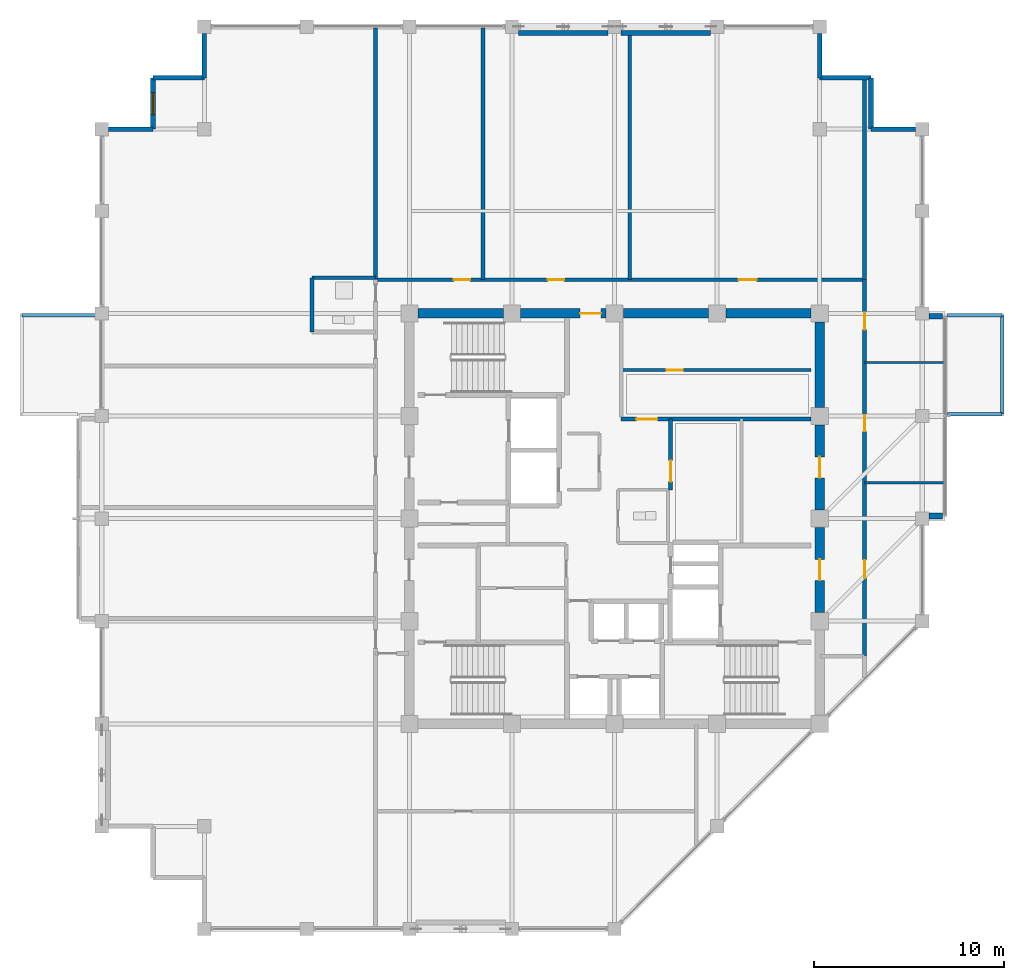
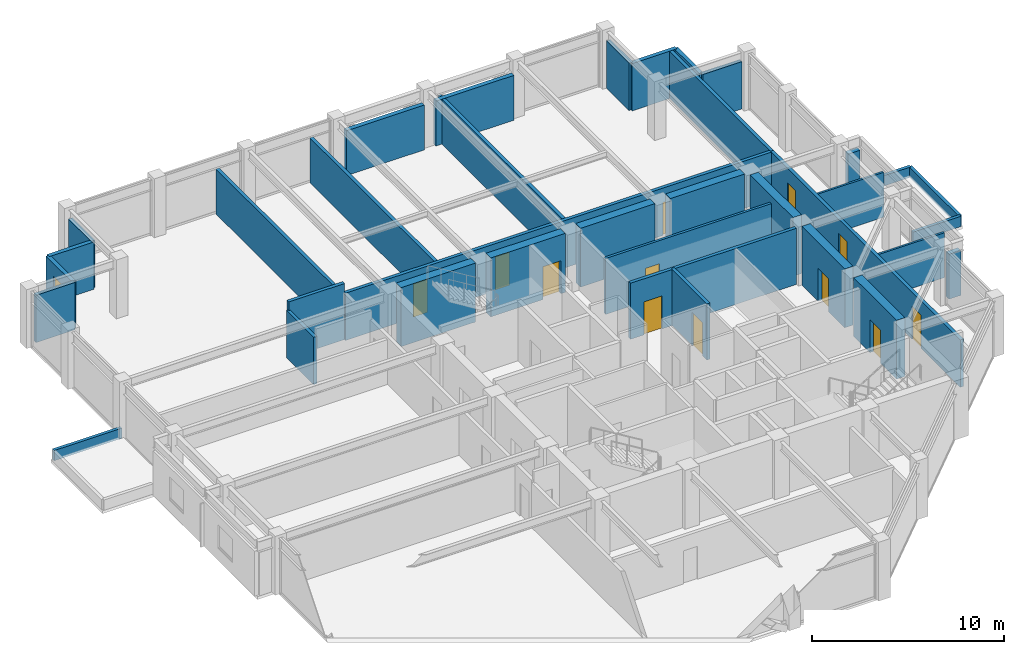
# One storey, part 27 of 31: 36 walls, 12 doors, 1 window, 13 openings.
"""IFC4 building model written with IfcOpenShell, lengths in metres."""

from ifc_helpers import new_model, si_unit, direction, frame, frame_2d, origin, place, context, subcontext, project, spatial, rectangle, extrude, material, layer, layer_set, type_object, element, fill, save


model = new_model("IFC4")

# Units and contexts
model_context = context("Model", 3, precision=1e-05, world=origin(), true_north=direction((0.0, 1.0)))
body_context = subcontext(model_context, "Body", "Model", "MODEL_VIEW")
ifc_project = project(units=[si_unit("LENGTHUNIT", "METRE"), si_unit("AREAUNIT", "SQUARE_METRE"), si_unit("VOLUMEUNIT", "CUBIC_METRE"), si_unit("PLANEANGLEUNIT", "RADIAN"), si_unit("MASSUNIT", "GRAM", prefix="KILO")], contexts=[model_context])

# Site, building, storey
site_placement = place(None, origin())
site = spatial("IfcSite", under=ifc_project, at=site_placement, CompositionType="ELEMENT")
building_placement = place(site_placement, origin())
building = spatial("IfcBuilding", under=site, at=building_placement, Name="Surkhivell Harbour Commons", CompositionType="ELEMENT")
storey_placement = place(building_placement, frame((0.0, 0.0, 270.0)))
storey = spatial("IfcBuildingStorey", under=building, at=storey_placement, Name="L70", CompositionType="ELEMENT", Elevation=270.0)

# Wall
ifc_material_1 = material(Name="Concrete C50/60", Category="concrete")
ifc_layer_1 = layer(ifc_material_1, 0.5)
ifc_layer_set_1 = layer_set([ifc_layer_1], Name="Concrete C50/60")
wall_type_1 = type_object("IfcWallType", Name="WAL-CORE-500", PredefinedType="SHEAR", material=ifc_layer_set_1)
wall_1_placement = place(storey_placement, frame((-10.340087890625, 10.800048828125, 0.0), z_axis=(0.0, 0.0, 1.0), x_axis=(1.0, 0.0, 0.0)))
element("IfcWall", 1, at=wall_1_placement, inside=storey, type_object=wall_type_1, Name="L70 Core Shear Wall North 1", PredefinedType="SHEAR", context=body_context, shape_type="SweptSolid", body=[
    extrude(rectangle(XDim=4.47998046875, YDim=0.5, at=frame_2d((2.239990234375, 0.0))), origin(), (0.0, 0.0, 1.0), 3.75),
])

# Wall, opening, door
wall_2_placement = place(storey_placement, frame((-4.93994140625, 10.800048828125, 0.0), z_axis=(0.0, 0.0, 1.0), x_axis=(1.0, 0.0, 0.0)))
wall_2 = element("IfcWall", 2, at=wall_2_placement, inside=storey, type_object=wall_type_1, Name="L70 Core Shear Wall North 2", PredefinedType="SHEAR", context=body_context, shape_type="SweptSolid", body=[
    extrude(rectangle(XDim=4.47998046875, YDim=0.5, at=frame_2d((2.239990234375, 0.0))), origin(), (0.0, 0.0, 1.0), 3.75),
])
opening_1_placement = place(wall_2_placement, frame((3.1298828125, 0.0, 0.0)))
opening_1 = element("IfcOpeningElement", 3, at=opening_1_placement, cuts=wall_2, Name="Opening ID-2", PredefinedType="OPENING", context=body_context, shape_type="SweptSolid", body=[
    extrude(rectangle(XDim=1.10009765625, YDim=2.10009765625, at=frame_2d((0.550048828125, 1.050048828125))), frame((0.0, 0.260009765625, 0.0), z_axis=(0.0, -1.0, 0.0), x_axis=(1.0, 0.0, 0.0)), (0.0, 0.0, 1.0), 0.52001953125),
])
ifc_material_2 = material(Name="Hardwood-veneered fire-rated door leaf", Category="wood")
door_type_1 = type_object("IfcDoorType", Name="DOR-FD60-1100", OperationType="NOTDEFINED", PredefinedType="DOOR", material=ifc_material_2)
door_1_placement = place(opening_1_placement, origin())
door_1 = element("IfcDoor", 4, at=door_1_placement, inside=storey, type_object=door_type_1, Name="L70 Central Core Lift Hall North Corridor Door", OperationType="SINGLE_SWING_LEFT", OverallHeight=2.10009765625, OverallWidth=1.10009765625, PredefinedType="DOOR", context=body_context, shape_type="SweptSolid", body=[
    extrude(rectangle(XDim=1.10009765625, YDim=2.10009765625, at=frame_2d((0.550048828125, 1.050048828125))), frame((0.0, 0.02490234375, 0.0), z_axis=(0.0, -1.0, 0.0), x_axis=(1.0, 0.0, 0.0)), (0.0, 0.0, 1.0), 0.050048828125),
])
fill(opening_1, door_1)

wall_3_placement = place(storey_placement, frame((10.800048828125, -4.93994140625, 0.0), z_axis=(0.0, 0.0, 1.0), x_axis=(0.0, 1.0, 0.0)))
wall_3 = element("IfcWall", 5, at=wall_3_placement, inside=storey, type_object=wall_type_1, Name="L70 Core Shear Wall East 2", PredefinedType="SHEAR", context=body_context, shape_type="SweptSolid", body=[
    extrude(rectangle(XDim=4.47998046875, YDim=0.5, at=frame_2d((2.239990234375, 0.0))), origin(), (0.0, 0.0, 1.0), 3.75),
])
opening_2_placement = place(wall_3_placement, frame((1.68994140625, 0.0, 0.0)))
opening_2 = element("IfcOpeningElement", 6, at=opening_2_placement, cuts=wall_3, Name="Opening ID-1", PredefinedType="OPENING", context=body_context, shape_type="SweptSolid", body=[
    extrude(rectangle(XDim=1.10009765625, YDim=2.10009765625, at=frame_2d((0.550048828125, 1.050048828125))), frame((0.0, 0.260009765625, 0.0), z_axis=(0.0, -1.0, 0.0), x_axis=(1.0, 0.0, 0.0)), (0.0, 0.0, 1.0), 0.52001953125),
])
door_type_2 = type_object("IfcDoorType", Name="DOR-FD120-1100", OperationType="NOTDEFINED", PredefinedType="DOOR", material=ifc_material_2)
door_2_placement = place(opening_2_placement, origin())
door_2 = element("IfcDoor", 7, at=door_2_placement, inside=storey, type_object=door_type_2, Name="L70 Firefighting Lobby 2 Corridor Door", OperationType="SINGLE_SWING_RIGHT", OverallHeight=2.10009765625, OverallWidth=1.10009765625, PredefinedType="DOOR", context=body_context, shape_type="SweptSolid", body=[
    extrude(rectangle(XDim=1.10009765625, YDim=2.10009765625, at=frame_2d((0.550048828125, 1.050048828125))), frame((0.0, 0.02490234375, 0.0), z_axis=(0.0, -1.0, 0.0), x_axis=(1.0, 0.0, 0.0)), (0.0, 0.0, 1.0), 0.050048828125),
])
fill(opening_2, door_2)

# Wall
wall_4_placement = place(storey_placement, frame((0.4599609375, 10.800048828125, 0.0), z_axis=(0.0, 0.0, 1.0), x_axis=(1.0, 0.0, 0.0)))
element("IfcWall", 8, at=wall_4_placement, inside=storey, type_object=wall_type_1, Name="L70 Core Shear Wall North 3", PredefinedType="SHEAR", context=body_context, shape_type="SweptSolid", body=[
    extrude(rectangle(XDim=4.47998046875, YDim=0.5, at=frame_2d((2.239990234375, 0.0))), origin(), (0.0, 0.0, 1.0), 3.75),
])

# Wall, opening, door
wall_5_placement = place(storey_placement, frame((10.800048828125, 0.4599609375, 0.0), z_axis=(0.0, 0.0, 1.0), x_axis=(0.0, 1.0, 0.0)))
wall_5 = element("IfcWall", 9, at=wall_5_placement, inside=storey, type_object=wall_type_1, Name="L70 Core Shear Wall East 3", PredefinedType="SHEAR", context=body_context, shape_type="SweptSolid", body=[
    extrude(rectangle(XDim=4.47998046875, YDim=0.5, at=frame_2d((2.239990234375, 0.0))), origin(), (0.0, 0.0, 1.0), 3.75),
])
opening_3_placement = place(wall_5_placement, frame((1.68994140625, 0.0, 0.0)))
opening_3 = element("IfcOpeningElement", 10, at=opening_3_placement, cuts=wall_5, Name="Opening ID-2", PredefinedType="OPENING", context=body_context, shape_type="SweptSolid", body=[
    extrude(rectangle(XDim=1.10009765625, YDim=2.10009765625, at=frame_2d((0.550048828125, 1.050048828125))), frame((0.0, 0.260009765625, 0.0), z_axis=(0.0, -1.0, 0.0), x_axis=(1.0, 0.0, 0.0)), (0.0, 0.0, 1.0), 0.52001953125),
])
door_3_placement = place(opening_3_placement, origin())
door_3 = element("IfcDoor", 11, at=door_3_placement, inside=storey, type_object=door_type_1, Name="L70 Core Seminar East Door", OperationType="SINGLE_SWING_RIGHT", OverallHeight=2.10009765625, OverallWidth=1.10009765625, PredefinedType="DOOR", context=body_context, shape_type="SweptSolid", body=[
    extrude(rectangle(XDim=1.10009765625, YDim=2.10009765625, at=frame_2d((0.550048828125, 1.050048828125))), frame((0.0, 0.02490234375, 0.0), z_axis=(0.0, -1.0, 0.0), x_axis=(1.0, 0.0, 0.0)), (0.0, 0.0, 1.0), 0.050048828125),
])
fill(opening_3, door_3)

# Walls
for number, where, z_axis, x_axis, name in (
    (12, (5.860107421875, 10.800048828125, 0.0), (0.0, 0.0, 1.0), (1.0, 0.0, 0.0), "L70 Core Shear Wall North 4"),
    (13, (10.800048828125, 5.860107421875, 0.0), (0.0, 0.0, 1.0), (0.0, 1.0, 0.0), "L70 Core Shear Wall East 4"),
):
    element("IfcWall", number, at=place(storey_placement, frame(where, z_axis=z_axis, x_axis=x_axis)), inside=storey, type_object=wall_type_1, Name=name, PredefinedType="SHEAR", context=body_context, shape_type="SweptSolid", body=[
        extrude(rectangle(XDim=4.47998046875, YDim=0.5, at=frame_2d((2.239990234375, 0.0))), origin(), (0.0, 0.0, 1.0), 3.75),
    ])
ifc_material_3 = material(Name="Flemish-bond kiln brick and precast concrete C45/55", Category="masonry")
ifc_layer_2 = layer(ifc_material_3, 0.300048828125)
ifc_layer_set_2 = layer_set([ifc_layer_2], Name="Flemish-bond kiln brick and precast concrete C45/55")
wall_type_2 = type_object("IfcWallType", Name="WAL-EXT-BRK300", PredefinedType="STANDARD", material=ifc_layer_set_2)
for number, where, z_axis, x_axis, name in (
    (14, (16.553955078125, 0.139892578125, 0.0), (0.0, 0.0, 1.0), (1.0, 0.0, 0.0), "L70 Coloured Box Return Wall 01S"),
    (15, (16.553955078125, 10.659912109375, 0.0), (0.0, 0.0, 1.0), (1.0, 0.0, 0.0), "L70 Coloured Box Return Wall 01N"),
):
    element("IfcWall", number, at=place(storey_placement, frame(where, z_axis=z_axis, x_axis=x_axis)), inside=storey, type_object=wall_type_2, Name=name, PredefinedType="STANDARD", context=body_context, shape_type="SweptSolid", body=[
        extrude(rectangle(XDim=0.7060546875, YDim=0.300048828125, at=frame_2d((0.35302734375, 0.0))), origin(), (0.0, 0.0, 1.0), 2.85693359375),
    ])
ifc_material_4 = material(Name="Pale-metal insulated precast concrete C45/55", Category="concrete")
ifc_layer_3 = layer(ifc_material_4, 0.260009765625)
ifc_layer_set_3 = layer_set([ifc_layer_3], Name="Pale-metal insulated precast concrete C45/55")
wall_type_3 = type_object("IfcWallType", Name="WAL-EXT-MTL260", PredefinedType="STANDARD", material=ifc_layer_set_3)
for number, where, z_axis, x_axis, name in (
    (16, (-0.347900390625, 25.56494140625, 0.0), (0.0, 0.0, 1.0), (-1.0, 0.0, 0.0), "L70 Braced-Bay Insulated Spandrel Backing N"),
    (17, (5.052001953125, 25.56494140625, 0.0), (0.0, 0.0, 1.0), (-1.0, 0.0, 0.0), "L70 Braced-Bay Insulated Spandrel Backing N2"),
):
    element("IfcWall", number, at=place(storey_placement, frame(where, z_axis=z_axis, x_axis=x_axis)), inside=storey, type_object=wall_type_3, Name=name, PredefinedType="STANDARD", context=body_context, shape_type="SweptSolid", body=[
        extrude(rectangle(XDim=4.7041015625, YDim=0.260009765625, at=frame_2d((2.35205078125, 0.0))), origin(), (0.0, 0.0, 1.0), 2.85693359375),
    ])
ifc_material_5 = material(Name="Bronze-ochre cassette precast concrete C45/55", Category="concrete")
ifc_layer_4 = layer(ifc_material_5, 0.239990234375)
ifc_layer_set_4 = layer_set([ifc_layer_4], Name="Bronze-ochre cassette precast concrete C45/55")
wall_type_4 = type_object("IfcWallType", Name="WAL-EXT-OCH240", PredefinedType="STANDARD", material=ifc_layer_set_4)
wall_6_placement = place(storey_placement, frame((15.85205078125, 20.5, 0.0), z_axis=(0.0, 0.0, 1.0), x_axis=(-1.0, 0.0, 0.0)))
element("IfcWall", 18, at=wall_6_placement, inside=storey, type_object=wall_type_4, Name="L70 Serrated Corner Facade Wall 03", PredefinedType="STANDARD", context=body_context, shape_type="SweptSolid", body=[
    extrude(rectangle(XDim=2.35205078125, YDim=0.239990234375, at=frame_2d((1.176025390625, 0.0))), origin(), (0.0, 0.0, 1.0), 3.012939453125),
])
for number, where, z_axis, x_axis, name in (
    (19, (13.5, 20.5, 0.0), (0.0, 0.0, 1.0), (0.0, 1.0, 0.0), "L70 Serrated Corner Facade Wall 04"),
    (20, (13.5, 23.199951171875, 0.0), (0.0, 0.0, 1.0), (-1.0, 0.0, 0.0), "L70 Serrated Corner Facade Wall 05"),
):
    element("IfcWall", number, at=place(storey_placement, frame(where, z_axis=z_axis, x_axis=x_axis)), inside=storey, type_object=wall_type_4, Name=name, PredefinedType="STANDARD", context=body_context, shape_type="SweptSolid", body=[
        extrude(rectangle(XDim=2.699951171875, YDim=0.239990234375, at=frame_2d((1.35009765625, 0.0))), origin(), (0.0, 0.0, 1.0), 3.012939453125),
    ])
for number, where, z_axis, x_axis, name in (
    (21, (10.800048828125, 23.199951171875, 0.0), (0.0, 0.0, 1.0), (0.0, 1.0, 0.0), "L70 Serrated Corner Facade Wall 06"),
    (22, (-21.60009765625, 25.552001953125, 0.0), (0.0, 0.0, 1.0), (0.0, -1.0, 0.0), "L70 Serrated Corner Facade Wall 08"),
):
    element("IfcWall", number, at=place(storey_placement, frame(where, z_axis=z_axis, x_axis=x_axis)), inside=storey, type_object=wall_type_4, Name=name, PredefinedType="STANDARD", context=body_context, shape_type="SweptSolid", body=[
        extrude(rectangle(XDim=2.35205078125, YDim=0.239990234375, at=frame_2d((1.176025390625, 0.0))), origin(), (0.0, 0.0, 1.0), 3.012939453125),
    ])
wall_7_placement = place(storey_placement, frame((-21.60009765625, 23.199951171875, 0.0), z_axis=(0.0, 0.0, 1.0), x_axis=(-1.0, 0.0, 0.0)))
element("IfcWall", 23, at=wall_7_placement, inside=storey, type_object=wall_type_4, Name="L70 Serrated Corner Facade Wall 09", PredefinedType="STANDARD", context=body_context, shape_type="SweptSolid", body=[
    extrude(rectangle(XDim=2.699951171875, YDim=0.239990234375, at=frame_2d((1.35009765625, 0.0))), origin(), (0.0, 0.0, 1.0), 3.012939453125),
])

# Wall, opening, window
wall_8_placement = place(storey_placement, frame((-24.300048828125, 23.199951171875, 0.0), z_axis=(0.0, 0.0, 1.0), x_axis=(0.0, -1.0, 0.0)))
wall_8 = element("IfcWall", 24, at=wall_8_placement, inside=storey, type_object=wall_type_4, Name="L70 Serrated Corner Facade Wall 10", PredefinedType="STANDARD", context=body_context, shape_type="SweptSolid", body=[
    extrude(rectangle(XDim=2.699951171875, YDim=0.239990234375, at=frame_2d((1.35009765625, 0.0))), origin(), (0.0, 0.0, 1.0), 3.012939453125),
])
opening_4_placement = place(wall_8_placement, frame((0.77490234375, 0.0, 0.64990234375)))
opening_4 = element("IfcOpeningElement", 25, at=opening_4_placement, cuts=wall_8, Name="Opening WN-10", PredefinedType="OPENING", context=body_context, shape_type="SweptSolid", body=[
    extrude(rectangle(XDim=1.14990234375, YDim=1.550048828125, at=frame_2d((0.574951171875, 0.77490234375))), frame((0.0, 0.1298828125, 0.0), z_axis=(0.0, -1.0, 0.0), x_axis=(1.0, 0.0, 0.0)), (0.0, 0.0, 1.0), 0.260009765625),
])
ifc_material_6 = material(Name="Thermal-break aluminium frame and double low-E glazing", Category="aluminium")
window_type = type_object("IfcWindowType", Name="WIN-SER-1150x1550", PartitioningType="SINGLE_PANEL", PredefinedType="WINDOW", material=ifc_material_6)
window_placement = place(opening_4_placement, origin())
window = element("IfcWindow", 26, at=window_placement, inside=storey, type_object=window_type, Name="L70 Serrated Alcove Window 10", OverallHeight=1.550048828125, OverallWidth=1.14990234375, PartitioningType="SINGLE_PANEL", PredefinedType="WINDOW", context=body_context, shape_type="SweptSolid", body=[
    extrude(rectangle(XDim=1.14990234375, YDim=1.550048828125, at=frame_2d((0.574951171875, 0.77490234375))), frame((0.0, 0.030029296875, 0.0), z_axis=(0.0, -1.0, 0.0), x_axis=(1.0, 0.0, 0.0)), (0.0, 0.0, 1.0), 0.06005859375),
])
fill(opening_4, window)

# Walls
wall_9_placement = place(storey_placement, frame((-24.300048828125, 20.5, 0.0), z_axis=(0.0, 0.0, 1.0), x_axis=(-1.0, 0.0, 0.0)))
element("IfcWall", 27, at=wall_9_placement, inside=storey, type_object=wall_type_4, Name="L70 Serrated Corner Facade Wall 11", PredefinedType="STANDARD", context=body_context, shape_type="SweptSolid", body=[
    extrude(rectangle(XDim=2.35205078125, YDim=0.239990234375, at=frame_2d((1.176025390625, 0.0))), origin(), (0.0, 0.0, 1.0), 3.012939453125),
])
ifc_material_7 = material(Name="Moisture-resistant acoustic stud partition", Category="other")
ifc_layer_5 = layer(ifc_material_7, 0.125)
ifc_layer_set_5 = layer_set([ifc_layer_5], Name="Moisture-resistant acoustic stud partition")
wall_type_5 = type_object("IfcWallType", Name="WAL-INT-125", PredefinedType="PARTITIONING", material=ifc_layer_set_5)
for number, where, z_axis, x_axis, name in (
    (28, (13.159912109375, 1.8798828125, 0.0), (0.0, 0.0, 1.0), (1.0, 0.0, 0.0), "L70 East Partition P1"),
    (29, (13.159912109375, 8.219970703125, 0.0), (0.0, 0.0, 1.0), (1.0, 0.0, 0.0), "L70 East Partition P2"),
):
    element("IfcWall", number, at=place(storey_placement, frame(where, z_axis=z_axis, x_axis=x_axis)), inside=storey, type_object=wall_type_5, Name=name, PredefinedType="PARTITIONING", context=body_context, shape_type="SweptSolid", body=[
        extrude(rectangle(XDim=4.18017578125, YDim=0.125, at=frame_2d((2.090087890625, 0.0))), origin(), (0.0, 0.0, 1.0), 2.85693359375),
    ])

# Wall, opening, door
ifc_material_8 = material(Name="Twin-stud acoustic fireboard partition", Category="other")
ifc_layer_6 = layer(ifc_material_8, 0.14990234375)
ifc_layer_set_6 = layer_set([ifc_layer_6], Name="Twin-stud acoustic fireboard partition")
wall_type_6 = type_object("IfcWallType", Name="WAL-INT-150", PredefinedType="PARTITIONING", material=ifc_layer_set_6)
wall_10_placement = place(storey_placement, frame((0.35009765625, 7.820068359375, 0.0), z_axis=(0.0, 0.0, 1.0), x_axis=(1.0, 0.0, 0.0)))
wall_10 = element("IfcWall", 30, at=wall_10_placement, inside=storey, type_object=wall_type_6, Name="L70 Core Archive Partition", PredefinedType="PARTITIONING", context=body_context, shape_type="SweptSolid", body=[
    extrude(rectangle(XDim=9.989990234375, YDim=0.14990234375, at=frame_2d((4.9951171875, 0.0))), origin(), (0.0, 0.0, 1.0), 3.570068359375),
])
opening_5_placement = place(wall_10_placement, frame((2.39990234375, 0.0, 0.0)))
opening_5 = element("IfcOpeningElement", 31, at=opening_5_placement, cuts=wall_10, Name="Opening ID-6", PredefinedType="OPENING", context=body_context, shape_type="SweptSolid", body=[
    extrude(rectangle(XDim=0.85009765625, YDim=2.10009765625, at=frame_2d((0.425048828125, 1.050048828125))), frame((0.0, 0.0849609375, 0.0), z_axis=(0.0, -1.0, 0.0), x_axis=(1.0, 0.0, 0.0)), (0.0, 0.0, 1.0), 0.169921875),
])
door_type_3 = type_object("IfcDoorType", Name="DOR-FD30-850", OperationType="NOTDEFINED", PredefinedType="DOOR", material=ifc_material_2)
door_4_placement = place(opening_5_placement, origin())
door_4 = element("IfcDoor", 32, at=door_4_placement, inside=storey, type_object=door_type_3, Name="L70 Archive Room Door", OperationType="SINGLE_SWING_LEFT", OverallHeight=2.10009765625, OverallWidth=0.85009765625, PredefinedType="DOOR", context=body_context, shape_type="SweptSolid", body=[
    extrude(rectangle(XDim=0.85009765625, YDim=2.10009765625, at=frame_2d((0.425048828125, 1.050048828125))), frame((0.0, 0.02490234375, 0.0), z_axis=(0.0, -1.0, 0.0), x_axis=(1.0, 0.0, 0.0)), (0.0, 0.0, 1.0), 0.050048828125),
])
fill(opening_5, door_4)

ifc_material_9 = material(Name="Autoclaved aerated concrete blockwork and fire plaster", Category="masonry")
ifc_layer_7 = layer(ifc_material_9, 0.199951171875)
ifc_layer_set_7 = layer_set([ifc_layer_7], Name="Autoclaved aerated concrete blockwork and fire plaster")
wall_type_7 = type_object("IfcWallType", Name="WAL-INT-200", PredefinedType="PARTITIONING", material=ifc_layer_set_7)
wall_11_placement = place(storey_placement, frame((0.35009765625, 5.239990234375, 0.0), z_axis=(0.0, 0.0, 1.0), x_axis=(1.0, 0.0, 0.0)))
wall_11 = element("IfcWall", 33, at=wall_11_placement, inside=storey, type_object=wall_type_7, Name="L70 Reclaimed Core North Bay South Wall", PredefinedType="PARTITIONING", context=body_context, shape_type="SweptSolid", body=[
    extrude(rectangle(XDim=9.989990234375, YDim=0.199951171875, at=frame_2d((4.9951171875, 0.0))), origin(), (0.0, 0.0, 1.0), 3.570068359375),
])
opening_6_placement = place(wall_11_placement, frame((0.800048828125, 0.0, 0.0)))
opening_6 = element("IfcOpeningElement", 34, at=opening_6_placement, cuts=wall_11, Name="Opening ID-2", PredefinedType="OPENING", context=body_context, shape_type="SweptSolid", body=[
    extrude(rectangle(XDim=1.10009765625, YDim=2.10009765625, at=frame_2d((0.550048828125, 1.050048828125))), frame((0.0, 0.10986328125, 0.0), z_axis=(0.0, -1.0, 0.0), x_axis=(1.0, 0.0, 0.0)), (0.0, 0.0, 1.0), 0.219970703125),
])
door_5_placement = place(opening_6_placement, origin())
door_5 = element("IfcDoor", 35, at=door_5_placement, inside=storey, type_object=door_type_1, Name="L70 Study Alcove Door", OperationType="SINGLE_SWING_RIGHT", OverallHeight=2.10009765625, OverallWidth=1.10009765625, PredefinedType="DOOR", context=body_context, shape_type="SweptSolid", body=[
    extrude(rectangle(XDim=1.10009765625, YDim=2.10009765625, at=frame_2d((0.550048828125, 1.050048828125))), frame((0.0, 0.02490234375, 0.0), z_axis=(0.0, -1.0, 0.0), x_axis=(1.0, 0.0, 0.0)), (0.0, 0.0, 1.0), 0.050048828125),
])
fill(opening_6, door_5)

# Walls
wall_12_placement = place(storey_placement, frame((13.159912109375, 12.580078125, 0.0), z_axis=(0.0, 0.0, 1.0), x_axis=(0.0, 1.0, 0.0)))
element("IfcWall", 36, at=wall_12_placement, inside=storey, type_object=wall_type_7, Name="L70 North-East Corner Wall", PredefinedType="PARTITIONING", context=body_context, shape_type="SweptSolid", body=[
    extrude(rectangle(XDim=10.559814453125, YDim=0.199951171875, at=frame_2d((5.27978515625, 0.0))), origin(), (0.0, 0.0, 1.0), 3.012939453125),
])
wall_13_placement = place(storey_placement, frame((-12.580078125, 12.580078125, 0.0), z_axis=(0.0, 0.0, 1.0), x_axis=(0.0, 1.0, 0.0)))
element("IfcWall", 37, at=wall_13_placement, inside=storey, type_object=wall_type_7, Name="L70 North-West Corner Wall", PredefinedType="PARTITIONING", context=body_context, shape_type="SweptSolid", body=[
    extrude(rectangle(XDim=13.260009765625, YDim=0.199951171875, at=frame_2d((6.6298828125, 0.0))), origin(), (0.0, 0.0, 1.0), 2.85693359375),
])

# Wall, openings, doors
wall_14_placement = place(storey_placement, frame((13.159912109375, -7.239990234375, 0.0), z_axis=(0.0, 0.0, 1.0), x_axis=(0.0, 1.0, 0.0)))
wall_14 = element("IfcWall", 38, at=wall_14_placement, inside=storey, type_object=wall_type_7, Name="L70 East Corridor Wall", PredefinedType="PARTITIONING", context=body_context, shape_type="SweptSolid", body=[
    extrude(rectangle(XDim=19.820068359375, YDim=0.199951171875, at=frame_2d((9.91015625, 0.0))), origin(), (0.0, 0.0, 1.0), 3.012939453125),
])
opening_7_placement = place(wall_14_placement, frame((4.110107421875, 0.0, 0.0)))
opening_7 = element("IfcOpeningElement", 39, at=opening_7_placement, cuts=wall_14, Name="Opening ID-4", PredefinedType="OPENING", context=body_context, shape_type="SweptSolid", body=[
    extrude(rectangle(XDim=0.949951171875, YDim=2.10009765625, at=frame_2d((0.47509765625, 1.050048828125))), frame((0.0, 0.10986328125, 0.0), z_axis=(0.0, -1.0, 0.0), x_axis=(1.0, 0.0, 0.0)), (0.0, 0.0, 1.0), 0.219970703125),
])
opening_8_placement = place(wall_14_placement, frame((11.840087890625, 0.0, 0.0)))
opening_8 = element("IfcOpeningElement", 40, at=opening_8_placement, cuts=wall_14, Name="Opening ID-6", PredefinedType="OPENING", context=body_context, shape_type="SweptSolid", body=[
    extrude(rectangle(XDim=0.85009765625, YDim=2.10009765625, at=frame_2d((0.425048828125, 1.050048828125))), frame((0.0, 0.10986328125, 0.0), z_axis=(0.0, -1.0, 0.0), x_axis=(1.0, 0.0, 0.0)), (0.0, 0.0, 1.0), 0.219970703125),
])
opening_9_placement = place(wall_14_placement, frame((17.18994140625, 0.0, 0.0)))
opening_9 = element("IfcOpeningElement", 41, at=opening_9_placement, cuts=wall_14, Name="Opening ID-6", PredefinedType="OPENING", context=body_context, shape_type="SweptSolid", body=[
    extrude(rectangle(XDim=0.85009765625, YDim=2.10009765625, at=frame_2d((0.425048828125, 1.050048828125))), frame((0.0, 0.10986328125, 0.0), z_axis=(0.0, -1.0, 0.0), x_axis=(1.0, 0.0, 0.0)), (0.0, 0.0, 1.0), 0.219970703125),
])
door_6_placement = place(opening_8_placement, origin())
door_6 = element("IfcDoor", 42, at=door_6_placement, inside=storey, type_object=door_type_3, Name="L70 Resident Social Lounge 2 East Door", OperationType="SINGLE_SWING_LEFT", OverallHeight=2.10009765625, OverallWidth=0.85009765625, PredefinedType="DOOR", context=body_context, shape_type="SweptSolid", body=[
    extrude(rectangle(XDim=0.85009765625, YDim=2.10009765625, at=frame_2d((0.425048828125, 1.050048828125))), frame((0.0, 0.02490234375, 0.0), z_axis=(0.0, -1.0, 0.0), x_axis=(1.0, 0.0, 0.0)), (0.0, 0.0, 1.0), 0.050048828125),
])
fill(opening_8, door_6)
door_7_placement = place(opening_9_placement, origin())
door_7 = element("IfcDoor", 43, at=door_7_placement, inside=storey, type_object=door_type_3, Name="L70 Resident Social Lounge 3 East Door", OperationType="SINGLE_SWING_RIGHT", OverallHeight=2.10009765625, OverallWidth=0.85009765625, PredefinedType="DOOR", context=body_context, shape_type="SweptSolid", body=[
    extrude(rectangle(XDim=0.85009765625, YDim=2.10009765625, at=frame_2d((0.425048828125, 1.050048828125))), frame((0.0, 0.02490234375, 0.0), z_axis=(0.0, -1.0, 0.0), x_axis=(1.0, 0.0, 0.0)), (0.0, 0.0, 1.0), 0.050048828125),
])
fill(opening_9, door_7)
door_type_4 = type_object("IfcDoorType", Name="DOR-FD60-950", OperationType="NOTDEFINED", PredefinedType="DOOR", material=ifc_material_2)
door_8_placement = place(opening_7_placement, origin())
door_8 = element("IfcDoor", 44, at=door_8_placement, inside=storey, type_object=door_type_4, Name="L70 Resident Social Lounge 1 East Door", OperationType="SINGLE_SWING_RIGHT", OverallHeight=2.10009765625, OverallWidth=0.949951171875, PredefinedType="DOOR", context=body_context, shape_type="SweptSolid", body=[
    extrude(rectangle(XDim=0.949951171875, YDim=2.10009765625, at=frame_2d((0.47509765625, 1.050048828125))), frame((0.0, 0.02490234375, 0.0), z_axis=(0.0, -1.0, 0.0), x_axis=(1.0, 0.0, 0.0)), (0.0, 0.0, 1.0), 0.050048828125),
])
fill(opening_7, door_8)

wall_15_placement = place(storey_placement, frame((-12.580078125, 12.580078125, 0.0), z_axis=(0.0, 0.0, 1.0), x_axis=(1.0, 0.0, 0.0)))
wall_15 = element("IfcWall", 45, at=wall_15_placement, inside=storey, type_object=wall_type_7, Name="L70 North Corridor Wall", PredefinedType="PARTITIONING", context=body_context, shape_type="SweptSolid", body=[
    extrude(rectangle(XDim=25.739990234375, YDim=0.199951171875, at=frame_2d((12.8701171875, 0.0))), origin(), (0.0, 0.0, 1.0), 3.012939453125),
])
opening_10_placement = place(wall_15_placement, frame((4.125244140625, 0.0, 0.0)))
opening_10 = element("IfcOpeningElement", 46, at=opening_10_placement, cuts=wall_15, Name="Opening ID-6", PredefinedType="OPENING", context=body_context, shape_type="SweptSolid", body=[
    extrude(rectangle(XDim=0.85009765625, YDim=2.10009765625, at=frame_2d((0.425048828125, 1.050048828125))), frame((0.0, 0.10986328125, 0.0), z_axis=(0.0, -1.0, 0.0), x_axis=(1.0, 0.0, 0.0)), (0.0, 0.0, 1.0), 0.219970703125),
])
opening_11_placement = place(wall_15_placement, frame((9.070068359375, 0.0, 0.0)))
opening_11 = element("IfcOpeningElement", 47, at=opening_11_placement, cuts=wall_15, Name="Opening ID-6", PredefinedType="OPENING", context=body_context, shape_type="SweptSolid", body=[
    extrude(rectangle(XDim=0.85009765625, YDim=2.10009765625, at=frame_2d((0.425048828125, 1.050048828125))), frame((0.0, 0.10986328125, 0.0), z_axis=(0.0, -1.0, 0.0), x_axis=(1.0, 0.0, 0.0)), (0.0, 0.0, 1.0), 0.219970703125),
])
opening_12_placement = place(wall_15_placement, frame((19.110107421875, 0.0, 0.0)))
opening_12 = element("IfcOpeningElement", 48, at=opening_12_placement, cuts=wall_15, Name="Opening ID-4", PredefinedType="OPENING", context=body_context, shape_type="SweptSolid", body=[
    extrude(rectangle(XDim=0.949951171875, YDim=2.10009765625, at=frame_2d((0.47509765625, 1.050048828125))), frame((0.0, 0.10986328125, 0.0), z_axis=(0.0, -1.0, 0.0), x_axis=(1.0, 0.0, 0.0)), (0.0, 0.0, 1.0), 0.219970703125),
])
door_9_placement = place(opening_10_placement, origin())
door_9 = element("IfcDoor", 49, at=door_9_placement, inside=storey, type_object=door_type_3, Name="L70 Co-Working Study Office 1 North Door", OperationType="SINGLE_SWING_LEFT", OverallHeight=2.10009765625, OverallWidth=0.85009765625, PredefinedType="DOOR", context=body_context, shape_type="SweptSolid", body=[
    extrude(rectangle(XDim=0.85009765625, YDim=2.10009765625, at=frame_2d((0.425048828125, 1.050048828125))), frame((0.0, 0.02490234375, 0.0), z_axis=(0.0, -1.0, 0.0), x_axis=(1.0, 0.0, 0.0)), (0.0, 0.0, 1.0), 0.050048828125),
])
fill(opening_10, door_9)
door_10_placement = place(opening_11_placement, origin())
door_10 = element("IfcDoor", 50, at=door_10_placement, inside=storey, type_object=door_type_3, Name="L70 Co-Working Study Office 2 North Door", OperationType="SINGLE_SWING_RIGHT", OverallHeight=2.10009765625, OverallWidth=0.85009765625, PredefinedType="DOOR", context=body_context, shape_type="SweptSolid", body=[
    extrude(rectangle(XDim=0.85009765625, YDim=2.10009765625, at=frame_2d((0.425048828125, 1.050048828125))), frame((0.0, 0.02490234375, 0.0), z_axis=(0.0, -1.0, 0.0), x_axis=(1.0, 0.0, 0.0)), (0.0, 0.0, 1.0), 0.050048828125),
])
fill(opening_11, door_10)
door_11_placement = place(opening_12_placement, origin())
door_11 = element("IfcDoor", 51, at=door_11_placement, inside=storey, type_object=door_type_4, Name="L70 Co-Working Study Office 3 North Door", OperationType="SINGLE_SWING_LEFT", OverallHeight=2.10009765625, OverallWidth=0.949951171875, PredefinedType="DOOR", context=body_context, shape_type="SweptSolid", body=[
    extrude(rectangle(XDim=0.949951171875, YDim=2.10009765625, at=frame_2d((0.47509765625, 1.050048828125))), frame((0.0, 0.02490234375, 0.0), z_axis=(0.0, -1.0, 0.0), x_axis=(1.0, 0.0, 0.0)), (0.0, 0.0, 1.0), 0.050048828125),
])
fill(opening_12, door_11)

# Wall, opening, door
wall_16_placement = place(storey_placement, frame((2.949951171875, 1.52001953125, 0.0), z_axis=(0.0, 0.0, 1.0), x_axis=(0.0, 1.0, 0.0)))
wall_16 = element("IfcWall", 52, at=wall_16_placement, inside=storey, type_object=wall_type_7, Name="L70 Reclaimed East Core West Wall", PredefinedType="PARTITIONING", context=body_context, shape_type="SweptSolid", body=[
    extrude(rectangle(XDim=3.719970703125, YDim=0.199951171875, at=frame_2d((1.85986328125, 0.0))), origin(), (0.0, 0.0, 1.0), 3.570068359375),
])
opening_13_placement = place(wall_16_placement, frame((0.429931640625, 0.0, 0.0)))
opening_13 = element("IfcOpeningElement", 53, at=opening_13_placement, cuts=wall_16, Name="Opening ID-2", PredefinedType="OPENING", context=body_context, shape_type="SweptSolid", body=[
    extrude(rectangle(XDim=1.10009765625, YDim=2.10009765625, at=frame_2d((0.550048828125, 1.050048828125))), frame((0.0, 0.10986328125, 0.0), z_axis=(0.0, -1.0, 0.0), x_axis=(1.0, 0.0, 0.0)), (0.0, 0.0, 1.0), 0.219970703125),
])
door_12_placement = place(opening_13_placement, origin())
door_12 = element("IfcDoor", 54, at=door_12_placement, inside=storey, type_object=door_type_1, Name="L70 Reading Gallery Door", OperationType="SINGLE_SWING_LEFT", OverallHeight=2.10009765625, OverallWidth=1.10009765625, PredefinedType="DOOR", context=body_context, shape_type="SweptSolid", body=[
    extrude(rectangle(XDim=1.10009765625, YDim=2.10009765625, at=frame_2d((0.550048828125, 1.050048828125))), frame((0.0, 0.02490234375, 0.0), z_axis=(0.0, -1.0, 0.0), x_axis=(1.0, 0.0, 0.0)), (0.0, 0.0, 1.0), 0.050048828125),
])
fill(opening_13, door_12)

# Walls
for number, where, z_axis, x_axis, name in (
    (55, (-6.919921875, 12.580078125, 0.0), (0.0, 0.0, 1.0), (0.0, 1.0, 0.0), "L70 North Partition P1"),
    (56, (0.800048828125, 12.580078125, 0.0), (0.0, 0.0, 1.0), (0.0, 1.0, 0.0), "L70 North Partition P2"),
):
    element("IfcWall", number, at=place(storey_placement, frame(where, z_axis=z_axis, x_axis=x_axis)), inside=storey, type_object=wall_type_7, Name=name, PredefinedType="PARTITIONING", context=body_context, shape_type="SweptSolid", body=[
        extrude(rectangle(XDim=13.260009765625, YDim=0.199951171875, at=frame_2d((6.6298828125, 0.0))), origin(), (0.0, 0.0, 1.0), 2.85693359375),
    ])
wall_17_placement = place(storey_placement, frame((-15.929931640625, 9.830078125, 0.0), z_axis=(0.0, 0.0, 1.0), x_axis=(0.0, 1.0, 0.0)))
element("IfcWall", 57, at=wall_17_placement, inside=storey, type_object=wall_type_7, Name="L70 West Partition BTHB", PredefinedType="PARTITIONING", context=body_context, shape_type="SweptSolid", body=[
    extrude(rectangle(XDim=2.849853515625, YDim=0.199951171875, at=frame_2d((1.4248046875, 0.0))), origin(), (0.0, 0.0, 1.0), 3.012939453125),
])
wall_18_placement = place(storey_placement, frame((-15.929931640625, 12.679931640625, 0.0), z_axis=(0.0, 0.0, 1.0), x_axis=(1.0, 0.0, 0.0)))
element("IfcWall", 58, at=wall_18_placement, inside=storey, type_object=wall_type_7, Name="L70 West Partition BTHN", PredefinedType="PARTITIONING", context=body_context, shape_type="SweptSolid", body=[
    extrude(rectangle(XDim=3.349853515625, YDim=0.199951171875, at=frame_2d((1.6748046875, 0.0))), origin(), (0.0, 0.0, 1.0), 3.570068359375),
])
ifc_material_10 = material(Name="Anodised aluminium and precast concrete C40/50", Category="concrete")
ifc_layer_8 = layer(ifc_material_10, 0.18505859375)
ifc_layer_set_8 = layer_set([ifc_layer_8], Name="Anodised aluminium and precast concrete C40/50")
wall_type_8 = type_object("IfcWallType", Name="WAL-PAR-185", PredefinedType="PARAPET", material=ifc_layer_set_8)
wall_19_placement = place(storey_placement, frame((17.52001953125, 5.5, 0.0), z_axis=(0.0, 0.0, 1.0), x_axis=(1.0, 0.0, 0.0)))
element("IfcWall", 59, at=wall_19_placement, inside=storey, type_object=wall_type_8, Name="L70 Box Roof Coping Parapet 1-1", PredefinedType="PARAPET", context=body_context, shape_type="SweptSolid", body=[
    extrude(rectangle(XDim=2.8798828125, YDim=0.18505859375, at=frame_2d((1.43994140625, 0.0))), origin(), (0.0, 0.0, 1.0), 0.64990234375),
])
wall_20_placement = place(storey_placement, frame((20.39990234375, 5.5, 0.0), z_axis=(0.0, 0.0, 1.0), x_axis=(0.0, 1.0, 0.0)))
element("IfcWall", 60, at=wall_20_placement, inside=storey, type_object=wall_type_8, Name="L70 Box Roof Coping Parapet 1-2", PredefinedType="PARAPET", context=body_context, shape_type="SweptSolid", body=[
    extrude(rectangle(XDim=5.199951171875, YDim=0.18505859375, at=frame_2d((2.60009765625, 0.0))), origin(), (0.0, 0.0, 1.0), 0.64990234375),
])
wall_21_placement = place(storey_placement, frame((20.39990234375, 10.699951171875, 0.0), z_axis=(0.0, 0.0, 1.0), x_axis=(-1.0, 0.0, 0.0)))
element("IfcWall", 61, at=wall_21_placement, inside=storey, type_object=wall_type_8, Name="L70 Box Roof Coping Parapet 1-3", PredefinedType="PARAPET", context=body_context, shape_type="SweptSolid", body=[
    extrude(rectangle(XDim=2.8798828125, YDim=0.18505859375, at=frame_2d((1.43994140625, 0.0))), origin(), (0.0, 0.0, 1.0), 0.64990234375),
])
wall_22_placement = place(storey_placement, frame((-27.1201171875, 10.699951171875, 0.0), z_axis=(0.0, 0.0, 1.0), x_axis=(-1.0, 0.0, 0.0)))
element("IfcWall", 62, at=wall_22_placement, inside=storey, type_object=wall_type_8, Name="L70 Box Roof Coping Parapet 2-1", PredefinedType="PARAPET", context=body_context, shape_type="SweptSolid", body=[
    extrude(rectangle(XDim=4.079833984375, YDim=0.18505859375, at=frame_2d((2.0400390625, 0.0))), origin(), (0.0, 0.0, 1.0), 0.64990234375),
])

save(model, "model.ifc")
